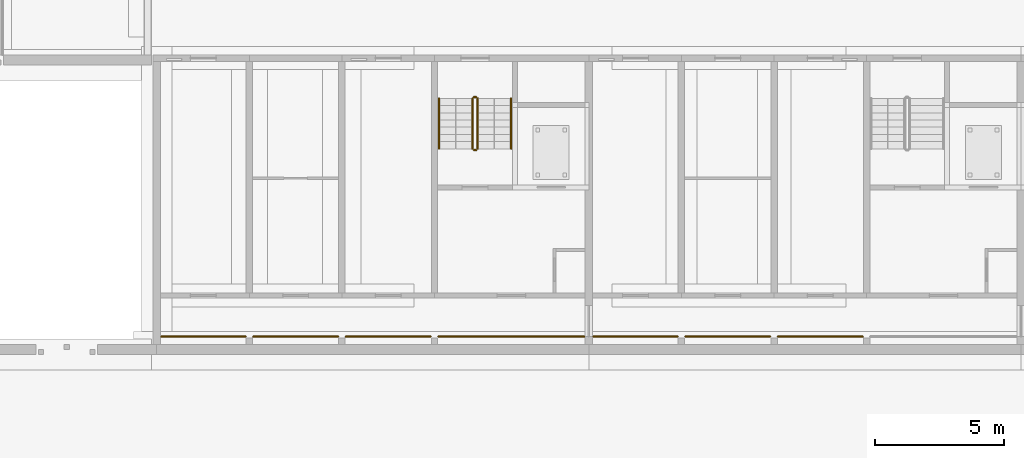
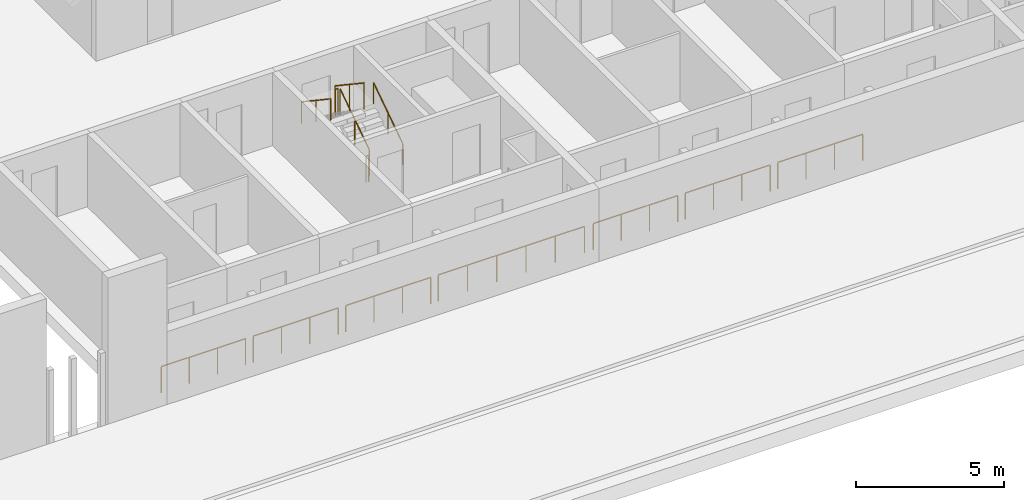
# One storey, part 87 of 112: 13 railings.
"""IFC4 building model written with IfcOpenShell, lengths in metres."""

from ifc_helpers import new_model, si_unit, direction, frame, origin, origin_2d, place, context, subcontext, project, spatial, circle, extrude, material, type_object, element, save


model = new_model("IFC4")

# Units and contexts
model_context = context("Model", 3, precision=1e-05, world=origin(), true_north=direction((0.0, 1.0)))
body_context = subcontext(model_context, "Body", "Model", "MODEL_VIEW")
ifc_project = project(units=[si_unit("LENGTHUNIT", "METRE"), si_unit("AREAUNIT", "SQUARE_METRE"), si_unit("VOLUMEUNIT", "CUBIC_METRE"), si_unit("PLANEANGLEUNIT", "RADIAN"), si_unit("MASSUNIT", "GRAM", prefix="KILO")], contexts=[model_context])

# Site, building, storey
site_placement = place(None, origin())
site = spatial("IfcSite", under=ifc_project, at=site_placement, CompositionType="ELEMENT")
building_placement = place(site_placement, origin())
building = spatial("IfcBuilding", under=site, at=building_placement, Name="Ridgestep Commons", CompositionType="ELEMENT")
storey_placement = place(building_placement, origin())
storey = spatial("IfcBuildingStorey", under=building, at=storey_placement, Name="L00", CompositionType="ELEMENT", Elevation=0.0)

# Railings
ifc_material_1 = material(Name="Structural steel S355JR galvanised", Category="steel")
railing_type_1 = type_object("IfcRailingType", Name="Passage guard 1100", PredefinedType="GUARDRAIL", material=ifc_material_1)
railing_1_placement = place(storey_placement, frame((12.1708984375, 12.050048828125, 0.0)))
element("IfcRailing", 1, at=railing_1_placement, inside=storey, type_object=railing_type_1, Name="Passage guard A 00.1", PredefinedType="GUARDRAIL", context=body_context, shape_type="SweptSolid", body=[
    extrude(circle(Radius=0.02392578125, at=origin_2d()), frame((0.0, 0.0, 1.076171875), z_axis=(1.0, 0.0, 0.0), x_axis=(0.0, 1.0, 0.0)), (0.0, 0.0, 1.0), 3.283203125),
    extrude(circle(Radius=0.02099609375, at=origin_2d()), origin(), (0.0, 0.0, 1.0), 1.052001953125),
    extrude(circle(Radius=0.02099609375, at=origin_2d()), frame((1.094482421875, 0.0, 0.0)), (0.0, 0.0, 1.0), 1.052001953125),
    extrude(circle(Radius=0.02099609375, at=origin_2d()), frame((2.188720703125, 0.0, 0.0)), (0.0, 0.0, 1.0), 1.052001953125),
    extrude(circle(Radius=0.02099609375, at=origin_2d()), frame((3.283203125, 0.0, 0.0)), (0.0, 0.0, 1.0), 1.052001953125),
])
railing_2_placement = place(storey_placement, frame((15.74609375, 12.050048828125, 0.0)))
element("IfcRailing", 2, at=railing_2_placement, inside=storey, type_object=railing_type_1, Name="Passage guard A 00.2", PredefinedType="GUARDRAIL", context=body_context, shape_type="SweptSolid", body=[
    extrude(circle(Radius=0.02392578125, at=origin_2d()), frame((0.0, 0.0, 1.076171875), z_axis=(1.0, 0.0, 0.0), x_axis=(0.0, 1.0, 0.0)), (0.0, 0.0, 1.0), 3.307861328125),
    extrude(circle(Radius=0.02099609375, at=origin_2d()), origin(), (0.0, 0.0, 1.0), 1.052001953125),
    extrude(circle(Radius=0.02099609375, at=origin_2d()), frame((1.1025390625, 0.0, 0.0)), (0.0, 0.0, 1.0), 1.052001953125),
    extrude(circle(Radius=0.02099609375, at=origin_2d()), frame((2.205322265625, 0.0, 0.0)), (0.0, 0.0, 1.0), 1.052001953125),
    extrude(circle(Radius=0.02099609375, at=origin_2d()), frame((3.307861328125, 0.0, 0.0)), (0.0, 0.0, 1.0), 1.052001953125),
])
railing_3_placement = place(storey_placement, frame((19.345947265625, 12.050048828125, 0.0)))
element("IfcRailing", 3, at=railing_3_placement, inside=storey, type_object=railing_type_1, Name="Passage guard A 00.3", PredefinedType="GUARDRAIL", context=body_context, shape_type="SweptSolid", body=[
    extrude(circle(Radius=0.02392578125, at=origin_2d()), frame((0.0, 0.0, 1.076171875), z_axis=(1.0, 0.0, 0.0), x_axis=(0.0, 1.0, 0.0)), (0.0, 0.0, 1.0), 3.30810546875),
    extrude(circle(Radius=0.02099609375, at=origin_2d()), origin(), (0.0, 0.0, 1.0), 1.052001953125),
    extrude(circle(Radius=0.02099609375, at=origin_2d()), frame((1.102783203125, 0.0, 0.0)), (0.0, 0.0, 1.0), 1.052001953125),
    extrude(circle(Radius=0.02099609375, at=origin_2d()), frame((2.205322265625, 0.0, 0.0)), (0.0, 0.0, 1.0), 1.052001953125),
    extrude(circle(Radius=0.02099609375, at=origin_2d()), frame((3.30810546875, 0.0, 0.0)), (0.0, 0.0, 1.0), 1.052001953125),
])
railing_4_placement = place(storey_placement, frame((22.946044921875, 12.050048828125, 0.0)))
element("IfcRailing", 4, at=railing_4_placement, inside=storey, type_object=railing_type_1, Name="Passage guard A 00.4", PredefinedType="GUARDRAIL", context=body_context, shape_type="SweptSolid", body=[
    extrude(circle(Radius=0.02392578125, at=origin_2d()), frame((0.0, 0.0, 1.076171875), z_axis=(1.0, 0.0, 0.0), x_axis=(0.0, 1.0, 0.0)), (0.0, 0.0, 1.0), 5.682861328125),
    extrude(circle(Radius=0.02099609375, at=origin_2d()), origin(), (0.0, 0.0, 1.0), 1.052001953125),
    extrude(circle(Radius=0.02099609375, at=origin_2d()), frame((1.136474609375, 0.0, 0.0)), (0.0, 0.0, 1.0), 1.052001953125),
    extrude(circle(Radius=0.02099609375, at=origin_2d()), frame((2.273193359375, 0.0, 0.0)), (0.0, 0.0, 1.0), 1.052001953125),
    extrude(circle(Radius=0.02099609375, at=origin_2d()), frame((3.40966796875, 0.0, 0.0)), (0.0, 0.0, 1.0), 1.052001953125),
    extrude(circle(Radius=0.02099609375, at=origin_2d()), frame((4.54638671875, 0.0, 0.0)), (0.0, 0.0, 1.0), 1.052001953125),
    extrude(circle(Radius=0.02099609375, at=origin_2d()), frame((5.682861328125, 0.0, 0.0)), (0.0, 0.0, 1.0), 1.052001953125),
])
railing_5_placement = place(storey_placement, frame((28.970947265625, 12.050048828125, 0.0)))
element("IfcRailing", 5, at=railing_5_placement, inside=storey, type_object=railing_type_1, Name="Passage guard A 00.5", PredefinedType="GUARDRAIL", context=body_context, shape_type="SweptSolid", body=[
    extrude(circle(Radius=0.02392578125, at=origin_2d()), frame((0.0, 0.0, 1.076171875), z_axis=(1.0, 0.0, 0.0), x_axis=(0.0, 1.0, 0.0)), (0.0, 0.0, 1.0), 3.282958984375),
    extrude(circle(Radius=0.02099609375, at=origin_2d()), origin(), (0.0, 0.0, 1.0), 1.052001953125),
    extrude(circle(Radius=0.02099609375, at=origin_2d()), frame((1.09423828125, 0.0, 0.0)), (0.0, 0.0, 1.0), 1.052001953125),
    extrude(circle(Radius=0.02099609375, at=origin_2d()), frame((2.188720703125, 0.0, 0.0)), (0.0, 0.0, 1.0), 1.052001953125),
    extrude(circle(Radius=0.02099609375, at=origin_2d()), frame((3.282958984375, 0.0, 0.0)), (0.0, 0.0, 1.0), 1.052001953125),
])
for number, where, name in (
    (6, (32.5458984375, 12.050048828125, 0.0), "Passage guard A 00.6"),
    (7, (36.14599609375, 12.050048828125, 0.0), "Passage guard A 00.7"),
):
    element("IfcRailing", number, at=place(storey_placement, frame(where)), inside=storey, type_object=railing_type_1, Name=name, PredefinedType="GUARDRAIL", context=body_context, shape_type="SweptSolid", body=[
        extrude(circle(Radius=0.02392578125, at=origin_2d()), frame((0.0, 0.0, 1.076171875), z_axis=(1.0, 0.0, 0.0), x_axis=(0.0, 1.0, 0.0)), (0.0, 0.0, 1.0), 3.30810546875),
        extrude(circle(Radius=0.02099609375, at=origin_2d()), origin(), (0.0, 0.0, 1.0), 1.052001953125),
        extrude(circle(Radius=0.02099609375, at=origin_2d()), frame((1.102783203125, 0.0, 0.0)), (0.0, 0.0, 1.0), 1.052001953125),
        extrude(circle(Radius=0.02099609375, at=origin_2d()), frame((2.205322265625, 0.0, 0.0)), (0.0, 0.0, 1.0), 1.052001953125),
        extrude(circle(Radius=0.02099609375, at=origin_2d()), frame((3.30810546875, 0.0, 0.0)), (0.0, 0.0, 1.0), 1.052001953125),
    ])
ifc_material_2 = material(Name="Structural steel S355JR", Category="steel")
railing_type_2 = type_object("IfcRailingType", Name="Stair guard 1100", PredefinedType="GUARDRAIL", material=ifc_material_2)
railing_6_placement = place(storey_placement, frame((24.47509765625, 19.35009765625, 0.1875)))
element("IfcRailing", 8, at=railing_6_placement, inside=storey, type_object=railing_type_2, Name="L00 A1C stair guard 1", PredefinedType="GUARDRAIL", context=body_context, shape_type="SweptSolid", body=[
    extrude(circle(Radius=0.02392578125, at=origin_2d()), frame((0.0, 0.0, 1.076171875), z_axis=(0.0, 0.830902050051, 0.556418712142), x_axis=(-1.0, 0.0, 0.0)), (0.0, 0.0, 1.0), 2.35888671875),
    extrude(circle(Radius=0.02099609375, at=origin_2d()), origin(), (0.0, 0.0, 1.0), 1.052001953125),
    extrude(circle(Radius=0.02099609375, at=origin_2d()), frame((0.0, 0.97998046875, 0.65625)), (0.0, 0.0, 1.0), 1.052001953125),
    extrude(circle(Radius=0.02099609375, at=origin_2d()), frame((0.0, 1.9599609375, 1.3125)), (0.0, 0.0, 1.0), 1.052001953125),
])
railing_7_placement = place(storey_placement, frame((24.425048828125, 21.360107421875, 1.5)))
element("IfcRailing", 9, at=railing_7_placement, inside=storey, type_object=railing_type_2, Name="L00 A1C stair guard 2", PredefinedType="GUARDRAIL", context=body_context, shape_type="SweptSolid", body=[
    extrude(circle(Radius=0.02392578125, at=origin_2d()), frame((0.0, 0.0, 1.076171875), z_axis=(-1.0, 0.0, 0.0), x_axis=(0.0, -1.0, 0.0)), (0.0, 0.0, 1.0), 0.10009765625),
    extrude(circle(Radius=0.02099609375, at=origin_2d()), origin(), (0.0, 0.0, 1.0), 1.052001953125),
    extrude(circle(Radius=0.02099609375, at=origin_2d()), frame((-0.10009765625, 0.0, 0.0)), (0.0, 0.0, 1.0), 1.052001953125),
])
railing_8_placement = place(storey_placement, frame((24.27490234375, 21.31005859375, 1.6875)))
element("IfcRailing", 10, at=railing_8_placement, inside=storey, type_object=railing_type_2, Name="L00 A1C stair guard 3", PredefinedType="GUARDRAIL", context=body_context, shape_type="SweptSolid", body=[
    extrude(circle(Radius=0.02392578125, at=origin_2d()), frame((0.0, 0.0, 1.076171875), z_axis=(0.0, -0.830902050051, 0.556418712142), x_axis=(1.0, 0.0, 0.0)), (0.0, 0.0, 1.0), 2.35888671875),
    extrude(circle(Radius=0.02099609375, at=origin_2d()), origin(), (0.0, 0.0, 1.0), 1.052001953125),
    extrude(circle(Radius=0.02099609375, at=origin_2d()), frame((0.0, -0.97998046875, 0.65625)), (0.0, 0.0, 1.0), 1.052001953125),
    extrude(circle(Radius=0.02099609375, at=origin_2d()), frame((0.0, -1.9599609375, 1.3125)), (0.0, 0.0, 1.0), 1.052001953125),
])
railing_9_placement = place(storey_placement, frame((24.425048828125, 19.300048828125, 0.0)))
element("IfcRailing", 11, at=railing_9_placement, inside=storey, type_object=railing_type_2, Name="L00 A1C stair guard 4", PredefinedType="GUARDRAIL", context=body_context, shape_type="SweptSolid", body=[
    extrude(circle(Radius=0.02392578125, at=origin_2d()), frame((0.0, 0.0, 1.076171875), z_axis=(-1.0, 0.0, 0.0), x_axis=(0.0, -1.0, 0.0)), (0.0, 0.0, 1.0), 0.10009765625),
    extrude(circle(Radius=0.02099609375, at=origin_2d()), origin(), (0.0, 0.0, 1.0), 1.052001953125),
    extrude(circle(Radius=0.02099609375, at=origin_2d()), frame((-0.10009765625, 0.0, 0.0)), (0.0, 0.0, 1.0), 1.052001953125),
])
ifc_material_3 = material(Name="Structural steel S355JR", Category="steel")
railing_type_3 = type_object("IfcRailingType", Name="Stair handrail 900", PredefinedType="HANDRAIL", material=ifc_material_3)
railing_10_placement = place(storey_placement, frame((25.77490234375, 19.35009765625, 0.1875)))
element("IfcRailing", 12, at=railing_10_placement, inside=storey, type_object=railing_type_3, Name="L00 A1C stair handrail 1", PredefinedType="HANDRAIL", context=body_context, shape_type="SweptSolid", body=[
    extrude(circle(Radius=0.02392578125, at=origin_2d()), frame((0.0, 0.0, 0.8759765625), z_axis=(0.0, 0.830902050051, 0.556418712142), x_axis=(-1.0, 0.0, 0.0)), (0.0, 0.0, 1.0), 2.35888671875),
    extrude(circle(Radius=0.02099609375, at=origin_2d()), origin(), (0.0, 0.0, 1.0), 0.851806640625),
    extrude(circle(Radius=0.02099609375, at=origin_2d()), frame((0.0, 0.97998046875, 0.65625)), (0.0, 0.0, 1.0), 0.851806640625),
    extrude(circle(Radius=0.02099609375, at=origin_2d()), frame((0.0, 1.9599609375, 1.3125)), (0.0, 0.0, 1.0), 0.851806640625),
])
railing_11_placement = place(storey_placement, frame((22.97509765625, 21.31005859375, 1.6875)))
element("IfcRailing", 13, at=railing_11_placement, inside=storey, type_object=railing_type_3, Name="L00 A1C stair handrail 2", PredefinedType="HANDRAIL", context=body_context, shape_type="SweptSolid", body=[
    extrude(circle(Radius=0.02392578125, at=origin_2d()), frame((0.0, 0.0, 0.8759765625), z_axis=(0.0, -0.830902050051, 0.556418712142), x_axis=(1.0, 0.0, 0.0)), (0.0, 0.0, 1.0), 2.35888671875),
    extrude(circle(Radius=0.02099609375, at=origin_2d()), origin(), (0.0, 0.0, 1.0), 0.851806640625),
    extrude(circle(Radius=0.02099609375, at=origin_2d()), frame((0.0, -0.97998046875, 0.65625)), (0.0, 0.0, 1.0), 0.851806640625),
    extrude(circle(Radius=0.02099609375, at=origin_2d()), frame((0.0, -1.9599609375, 1.3125)), (0.0, 0.0, 1.0), 0.851806640625),
])

save(model, "model.ifc")
